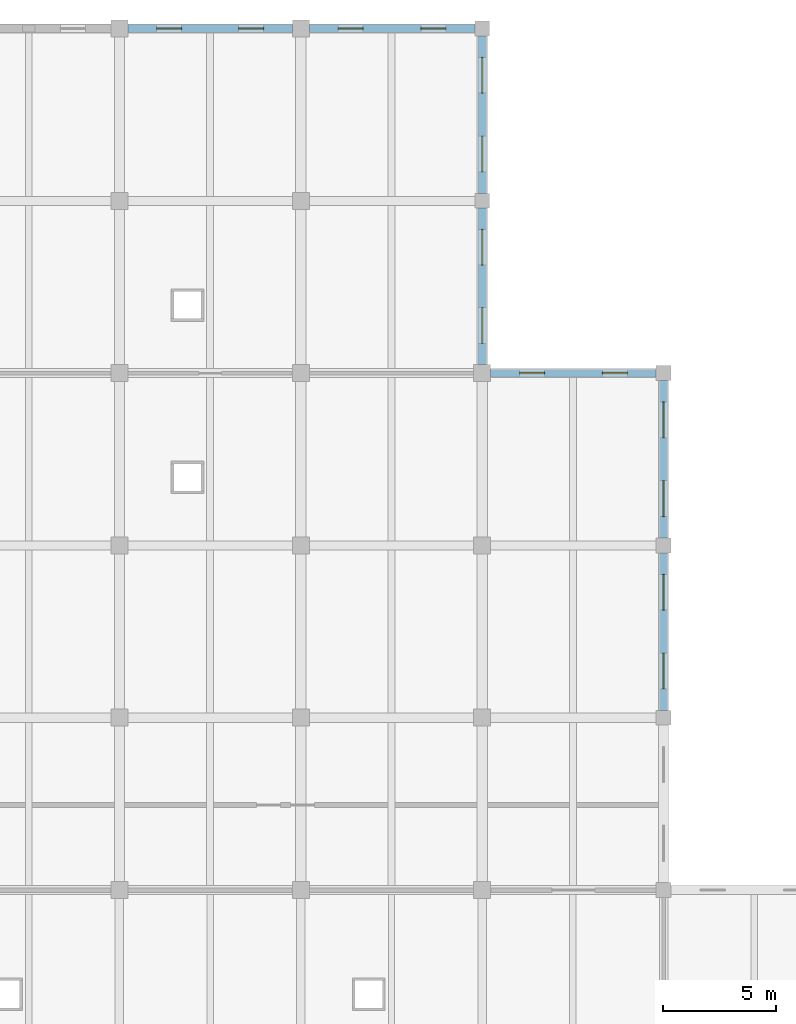
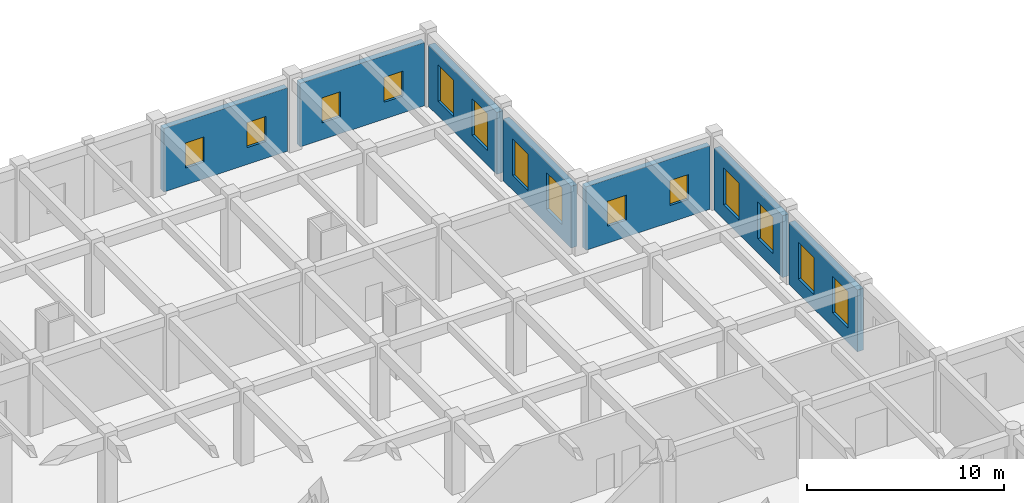
# One storey, part 83 of 101: 14 windows, 7 walls, 14 openings.
"""IFC4 building model written with IfcOpenShell, lengths in metres."""

from ifc_helpers import new_model, si_unit, direction, frame, frame_2d, origin, place, context, subcontext, project, spatial, rectangle, extrude, material, layer, layer_set, type_object, element, fill, save


model = new_model("IFC4")

# Units and contexts
model_context = context("Model", 3, precision=1e-05, world=origin(), true_north=direction((0.0, 1.0)))
body_context = subcontext(model_context, "Body", "Model", "MODEL_VIEW")
ifc_project = project(units=[si_unit("LENGTHUNIT", "METRE"), si_unit("AREAUNIT", "SQUARE_METRE"), si_unit("VOLUMEUNIT", "CUBIC_METRE"), si_unit("PLANEANGLEUNIT", "RADIAN"), si_unit("MASSUNIT", "GRAM", prefix="KILO")], contexts=[model_context])

# Site, building, storey
site_placement = place(None, origin())
site = spatial("IfcSite", under=ifc_project, at=site_placement, CompositionType="ELEMENT")
building_placement = place(site_placement, origin())
building = spatial("IfcBuilding", under=site, at=building_placement, Name="Zantavel Square City Hall", CompositionType="ELEMENT")
storey_placement = place(building_placement, frame((0.0, 0.0, 5.39990234375)))
storey = spatial("IfcBuildingStorey", under=building, at=storey_placement, Name="L02", CompositionType="ELEMENT", Elevation=5.39990234375)

# Wall, openings, windows
ifc_material_1 = material(Name="Cantera volcanic tuff stone", Category="masonry")
ifc_layer_1 = layer(ifc_material_1, 0.360107421875, Name="Cantera volcanic tuff stone")
ifc_layer_set_1 = layer_set([ifc_layer_1], Name="Cantera volcanic tuff stone")
wall_type_1 = type_object("IfcWallType", Name="Courtyard Cantera Facade Wall 360mm", PredefinedType="STANDARD", material=ifc_layer_set_1)
wall_1_placement = place(storey_placement, frame((144.0, 113.675048828125, 0.0), z_axis=(0.0, 0.0, 1.0), x_axis=(0.0, -1.0, 0.0)))
wall_1 = element("IfcWall", 1, at=wall_1_placement, inside=storey, type_object=wall_type_1, Name="L02 Exterior Wall EW-L02-044", PredefinedType="STANDARD", context=body_context, shape_type="SweptSolid", body=[
    extrude(rectangle(XDim=6.949951171875, YDim=0.360107421875, at=frame_2d((3.47509765625, 0.0))), origin(), (0.0, 0.0, 1.0), 3.840087890625),
])
opening_1_placement = place(wall_1_placement, frame((0.947509765625, 0.0, 0.89990234375)))
opening_1 = element("IfcOpeningElement", 2, at=opening_1_placement, cuts=wall_1, Name="Opening W-211", PredefinedType="OPENING", context=body_context, shape_type="SweptSolid", body=[
    extrude(rectangle(XDim=1.580078125, YDim=2.280029296875, at=frame_2d((0.7900390625, 1.14013671875))), frame((0.0, 0.18994140625, 0.0), z_axis=(0.0, -1.0, 0.0), x_axis=(1.0, 0.0, 0.0)), (0.0, 0.0, 1.0), 0.380126953125),
])
opening_2_placement = place(wall_1_placement, frame((4.422607421875, 0.0, 0.89990234375)))
opening_2 = element("IfcOpeningElement", 3, at=opening_2_placement, cuts=wall_1, Name="Opening W-212", PredefinedType="OPENING", context=body_context, shape_type="SweptSolid", body=[
    extrude(rectangle(XDim=1.580078125, YDim=2.280029296875, at=frame_2d((0.7900390625, 1.14013671875))), frame((0.0, 0.18994140625, 0.0), z_axis=(0.0, -1.0, 0.0), x_axis=(1.0, 0.0, 0.0)), (0.0, 0.0, 1.0), 0.380126953125),
])
ifc_material_2 = material(Name="Tempered safety glass low-E double glazing", Category="glass")
window_type_1 = type_object("IfcWindowType", Name="Window Treasury Tall 1580x2280", PartitioningType="DOUBLE_PANEL_VERTICAL", PredefinedType="WINDOW", material=ifc_material_2)
window_1_placement = place(opening_1_placement, origin())
window_1 = element("IfcWindow", 4, at=window_1_placement, inside=storey, type_object=window_type_1, Name="L02 Window W-211", OverallHeight=2.280029296875, OverallWidth=1.580078125, PartitioningType="DOUBLE_PANEL_VERTICAL", PredefinedType="WINDOW", context=body_context, shape_type="SweptSolid", body=[
    extrude(rectangle(XDim=1.580078125, YDim=2.280029296875, at=frame_2d((0.7900390625, 1.14013671875))), frame((0.0, 0.030029296875, 0.0), z_axis=(0.0, -1.0, 0.0), x_axis=(1.0, 0.0, 0.0)), (0.0, 0.0, 1.0), 0.06005859375),
])
fill(opening_1, window_1)
window_2_placement = place(opening_2_placement, origin())
window_2 = element("IfcWindow", 5, at=window_2_placement, inside=storey, type_object=window_type_1, Name="L02 Window W-212", OverallHeight=2.280029296875, OverallWidth=1.580078125, PartitioningType="DOUBLE_PANEL_VERTICAL", PredefinedType="WINDOW", context=body_context, shape_type="SweptSolid", body=[
    extrude(rectangle(XDim=1.580078125, YDim=2.280029296875, at=frame_2d((0.7900390625, 1.14013671875))), frame((0.0, 0.030029296875, 0.0), z_axis=(0.0, -1.0, 0.0), x_axis=(1.0, 0.0, 0.0)), (0.0, 0.0, 1.0), 0.06005859375),
])
fill(opening_2, window_2)

wall_2_placement = place(storey_placement, frame((144.0, 106.074951171875, 0.0), z_axis=(0.0, 0.0, 1.0), x_axis=(0.0, -1.0, 0.0)))
wall_2 = element("IfcWall", 6, at=wall_2_placement, inside=storey, type_object=wall_type_1, Name="L02 Exterior Wall EW-L02-045", PredefinedType="STANDARD", context=body_context, shape_type="SweptSolid", body=[
    extrude(rectangle(XDim=6.89990234375, YDim=0.360107421875, at=frame_2d((3.449951171875, 0.0))), origin(), (0.0, 0.0, 1.0), 3.840087890625),
])
opening_3_placement = place(wall_2_placement, frame((0.93505859375, 0.0, 0.89990234375)))
opening_3 = element("IfcOpeningElement", 7, at=opening_3_placement, cuts=wall_2, Name="Opening W-213", PredefinedType="OPENING", context=body_context, shape_type="SweptSolid", body=[
    extrude(rectangle(XDim=1.580078125, YDim=2.280029296875, at=frame_2d((0.7900390625, 1.14013671875))), frame((0.0, 0.18994140625, 0.0), z_axis=(0.0, -1.0, 0.0), x_axis=(1.0, 0.0, 0.0)), (0.0, 0.0, 1.0), 0.380126953125),
])
opening_4_placement = place(wall_2_placement, frame((4.385009765625, 0.0, 0.89990234375)))
opening_4 = element("IfcOpeningElement", 8, at=opening_4_placement, cuts=wall_2, Name="Opening W-214", PredefinedType="OPENING", context=body_context, shape_type="SweptSolid", body=[
    extrude(rectangle(XDim=1.580078125, YDim=2.280029296875, at=frame_2d((0.7900390625, 1.14013671875))), frame((0.0, 0.18994140625, 0.0), z_axis=(0.0, -1.0, 0.0), x_axis=(1.0, 0.0, 0.0)), (0.0, 0.0, 1.0), 0.380126953125),
])
window_3_placement = place(opening_3_placement, origin())
window_3 = element("IfcWindow", 9, at=window_3_placement, inside=storey, type_object=window_type_1, Name="L02 Window W-213", OverallHeight=2.280029296875, OverallWidth=1.580078125, PartitioningType="DOUBLE_PANEL_VERTICAL", PredefinedType="WINDOW", context=body_context, shape_type="SweptSolid", body=[
    extrude(rectangle(XDim=1.580078125, YDim=2.280029296875, at=frame_2d((0.7900390625, 1.14013671875))), frame((0.0, 0.030029296875, 0.0), z_axis=(0.0, -1.0, 0.0), x_axis=(1.0, 0.0, 0.0)), (0.0, 0.0, 1.0), 0.06005859375),
])
fill(opening_3, window_3)
window_4_placement = place(opening_4_placement, origin())
window_4 = element("IfcWindow", 10, at=window_4_placement, inside=storey, type_object=window_type_1, Name="L02 Window W-214", OverallHeight=2.280029296875, OverallWidth=1.580078125, PartitioningType="DOUBLE_PANEL_VERTICAL", PredefinedType="WINDOW", context=body_context, shape_type="SweptSolid", body=[
    extrude(rectangle(XDim=1.580078125, YDim=2.280029296875, at=frame_2d((0.7900390625, 1.14013671875))), frame((0.0, 0.030029296875, 0.0), z_axis=(0.0, -1.0, 0.0), x_axis=(1.0, 0.0, 0.0)), (0.0, 0.0, 1.0), 0.06005859375),
])
fill(opening_4, window_4)

wall_3_placement = place(storey_placement, frame((152.0, 98.47509765625, 0.0), z_axis=(0.0, 0.0, 1.0), x_axis=(0.0, -1.0, 0.0)))
wall_3 = element("IfcWall", 11, at=wall_3_placement, inside=storey, type_object=wall_type_1, Name="L02 Exterior Wall EW-L02-047", PredefinedType="STANDARD", context=body_context, shape_type="SweptSolid", body=[
    extrude(rectangle(XDim=6.9501953125, YDim=0.360107421875, at=frame_2d((3.47509765625, 0.0))), origin(), (0.0, 0.0, 1.0), 3.840087890625),
])
opening_5_placement = place(wall_3_placement, frame((0.947509765625, 0.0, 0.89990234375)))
opening_5 = element("IfcOpeningElement", 12, at=opening_5_placement, cuts=wall_3, Name="Opening W-217", PredefinedType="OPENING", context=body_context, shape_type="SweptSolid", body=[
    extrude(rectangle(XDim=1.580078125, YDim=2.280029296875, at=frame_2d((0.7900390625, 1.14013671875))), frame((0.0, 0.18994140625, 0.0), z_axis=(0.0, -1.0, 0.0), x_axis=(1.0, 0.0, 0.0)), (0.0, 0.0, 1.0), 0.380126953125),
])
opening_6_placement = place(wall_3_placement, frame((4.422607421875, 0.0, 0.89990234375)))
opening_6 = element("IfcOpeningElement", 13, at=opening_6_placement, cuts=wall_3, Name="Opening W-218", PredefinedType="OPENING", context=body_context, shape_type="SweptSolid", body=[
    extrude(rectangle(XDim=1.580078125, YDim=2.280029296875, at=frame_2d((0.7900390625, 1.14013671875))), frame((0.0, 0.18994140625, 0.0), z_axis=(0.0, -1.0, 0.0), x_axis=(1.0, 0.0, 0.0)), (0.0, 0.0, 1.0), 0.380126953125),
])
window_5_placement = place(opening_5_placement, origin())
window_5 = element("IfcWindow", 14, at=window_5_placement, inside=storey, type_object=window_type_1, Name="L02 Window W-217", OverallHeight=2.280029296875, OverallWidth=1.580078125, PartitioningType="DOUBLE_PANEL_VERTICAL", PredefinedType="WINDOW", context=body_context, shape_type="SweptSolid", body=[
    extrude(rectangle(XDim=1.580078125, YDim=2.280029296875, at=frame_2d((0.7900390625, 1.14013671875))), frame((0.0, 0.030029296875, 0.0), z_axis=(0.0, -1.0, 0.0), x_axis=(1.0, 0.0, 0.0)), (0.0, 0.0, 1.0), 0.06005859375),
])
fill(opening_5, window_5)
window_6_placement = place(opening_6_placement, origin())
window_6 = element("IfcWindow", 15, at=window_6_placement, inside=storey, type_object=window_type_1, Name="L02 Window W-218", OverallHeight=2.280029296875, OverallWidth=1.580078125, PartitioningType="DOUBLE_PANEL_VERTICAL", PredefinedType="WINDOW", context=body_context, shape_type="SweptSolid", body=[
    extrude(rectangle(XDim=1.580078125, YDim=2.280029296875, at=frame_2d((0.7900390625, 1.14013671875))), frame((0.0, 0.030029296875, 0.0), z_axis=(0.0, -1.0, 0.0), x_axis=(1.0, 0.0, 0.0)), (0.0, 0.0, 1.0), 0.06005859375),
])
fill(opening_6, window_6)

wall_4_placement = place(storey_placement, frame((152.0, 90.875, 0.0), z_axis=(0.0, 0.0, 1.0), x_axis=(0.0, -1.0, 0.0)))
wall_4 = element("IfcWall", 16, at=wall_4_placement, inside=storey, type_object=wall_type_1, Name="L02 Exterior Wall EW-L02-048", PredefinedType="STANDARD", context=body_context, shape_type="SweptSolid", body=[
    extrude(rectangle(XDim=6.949951171875, YDim=0.360107421875, at=frame_2d((3.47509765625, 0.0))), origin(), (0.0, 0.0, 1.0), 3.840087890625),
])
opening_7_placement = place(wall_4_placement, frame((0.947509765625, 0.0, 0.89990234375)))
opening_7 = element("IfcOpeningElement", 17, at=opening_7_placement, cuts=wall_4, Name="Opening W-219", PredefinedType="OPENING", context=body_context, shape_type="SweptSolid", body=[
    extrude(rectangle(XDim=1.580078125, YDim=2.280029296875, at=frame_2d((0.7900390625, 1.14013671875))), frame((0.0, 0.18994140625, 0.0), z_axis=(0.0, -1.0, 0.0), x_axis=(1.0, 0.0, 0.0)), (0.0, 0.0, 1.0), 0.380126953125),
])
opening_8_placement = place(wall_4_placement, frame((4.422607421875, 0.0, 0.89990234375)))
opening_8 = element("IfcOpeningElement", 18, at=opening_8_placement, cuts=wall_4, Name="Opening W-220", PredefinedType="OPENING", context=body_context, shape_type="SweptSolid", body=[
    extrude(rectangle(XDim=1.580078125, YDim=2.280029296875, at=frame_2d((0.7900390625, 1.14013671875))), frame((0.0, 0.18994140625, 0.0), z_axis=(0.0, -1.0, 0.0), x_axis=(1.0, 0.0, 0.0)), (0.0, 0.0, 1.0), 0.380126953125),
])
window_7_placement = place(opening_7_placement, origin())
window_7 = element("IfcWindow", 19, at=window_7_placement, inside=storey, type_object=window_type_1, Name="L02 Window W-219", OverallHeight=2.280029296875, OverallWidth=1.580078125, PartitioningType="DOUBLE_PANEL_VERTICAL", PredefinedType="WINDOW", context=body_context, shape_type="SweptSolid", body=[
    extrude(rectangle(XDim=1.580078125, YDim=2.280029296875, at=frame_2d((0.7900390625, 1.14013671875))), frame((0.0, 0.030029296875, 0.0), z_axis=(0.0, -1.0, 0.0), x_axis=(1.0, 0.0, 0.0)), (0.0, 0.0, 1.0), 0.06005859375),
])
fill(opening_7, window_7)
window_8_placement = place(opening_8_placement, origin())
window_8 = element("IfcWindow", 20, at=window_8_placement, inside=storey, type_object=window_type_1, Name="L02 Window W-220", OverallHeight=2.280029296875, OverallWidth=1.580078125, PartitioningType="DOUBLE_PANEL_VERTICAL", PredefinedType="WINDOW", context=body_context, shape_type="SweptSolid", body=[
    extrude(rectangle(XDim=1.580078125, YDim=2.280029296875, at=frame_2d((0.7900390625, 1.14013671875))), frame((0.0, 0.030029296875, 0.0), z_axis=(0.0, -1.0, 0.0), x_axis=(1.0, 0.0, 0.0)), (0.0, 0.0, 1.0), 0.06005859375),
])
fill(opening_8, window_8)

ifc_layer_2 = layer(ifc_material_1, 0.340087890625, Name="Cantera volcanic tuff stone")
ifc_layer_set_2 = layer_set([ifc_layer_2], Name="Cantera volcanic tuff stone")
wall_type_2 = type_object("IfcWallType", Name="North Insulated Cantera Wall 340mm", PredefinedType="STANDARD", material=ifc_layer_set_2)
wall_5_placement = place(storey_placement, frame((128.375, 114.0, 0.0), z_axis=(0.0, 0.0, 1.0), x_axis=(1.0, 0.0, 0.0)))
wall_5 = element("IfcWall", 21, at=wall_5_placement, inside=storey, type_object=wall_type_2, Name="L02 Exterior Wall EW-L02-042", PredefinedType="STANDARD", context=body_context, shape_type="SweptSolid", body=[
    extrude(rectangle(XDim=7.25, YDim=0.340087890625, at=frame_2d((3.625, 0.0))), origin(), (0.0, 0.0, 1.0), 3.940185546875),
])
opening_9_placement = place(wall_5_placement, frame((1.262451171875, 0.0, 1.050048828125)))
opening_9 = element("IfcOpeningElement", 22, at=opening_9_placement, cuts=wall_5, Name="Opening W-207", PredefinedType="OPENING", context=body_context, shape_type="SweptSolid", body=[
    extrude(rectangle(XDim=1.10009765625, YDim=1.550048828125, at=frame_2d((0.550048828125, 0.77490234375))), frame((0.0, 0.179931640625, 0.0), z_axis=(0.0, -1.0, 0.0), x_axis=(1.0, 0.0, 0.0)), (0.0, 0.0, 1.0), 0.360107421875),
])
opening_10_placement = place(wall_5_placement, frame((4.887451171875, 0.0, 1.050048828125)))
opening_10 = element("IfcOpeningElement", 23, at=opening_10_placement, cuts=wall_5, Name="Opening W-208", PredefinedType="OPENING", context=body_context, shape_type="SweptSolid", body=[
    extrude(rectangle(XDim=1.10009765625, YDim=1.550048828125, at=frame_2d((0.550048828125, 0.77490234375))), frame((0.0, 0.179931640625, 0.0), z_axis=(0.0, -1.0, 0.0), x_axis=(1.0, 0.0, 0.0)), (0.0, 0.0, 1.0), 0.360107421875),
])
window_type_2 = type_object("IfcWindowType", Name="Window Mezzanine North 1100x1550", PartitioningType="SINGLE_PANEL", PredefinedType="WINDOW", material=ifc_material_2)
window_9_placement = place(opening_9_placement, origin())
window_9 = element("IfcWindow", 24, at=window_9_placement, inside=storey, type_object=window_type_2, Name="L02 Window W-207", OverallHeight=1.550048828125, OverallWidth=1.10009765625, PartitioningType="SINGLE_PANEL", PredefinedType="WINDOW", context=body_context, shape_type="SweptSolid", body=[
    extrude(rectangle(XDim=1.10009765625, YDim=1.550048828125, at=frame_2d((0.550048828125, 0.77490234375))), frame((0.0, 0.030029296875, 0.0), z_axis=(0.0, -1.0, 0.0), x_axis=(1.0, 0.0, 0.0)), (0.0, 0.0, 1.0), 0.06005859375),
])
fill(opening_9, window_9)
window_10_placement = place(opening_10_placement, origin())
window_10 = element("IfcWindow", 25, at=window_10_placement, inside=storey, type_object=window_type_2, Name="L02 Window W-208", OverallHeight=1.550048828125, OverallWidth=1.10009765625, PartitioningType="SINGLE_PANEL", PredefinedType="WINDOW", context=body_context, shape_type="SweptSolid", body=[
    extrude(rectangle(XDim=1.10009765625, YDim=1.550048828125, at=frame_2d((0.550048828125, 0.77490234375))), frame((0.0, 0.030029296875, 0.0), z_axis=(0.0, -1.0, 0.0), x_axis=(1.0, 0.0, 0.0)), (0.0, 0.0, 1.0), 0.06005859375),
])
fill(opening_10, window_10)

wall_6_placement = place(storey_placement, frame((136.375, 114.0, 0.0), z_axis=(0.0, 0.0, 1.0), x_axis=(1.0, 0.0, 0.0)))
wall_6 = element("IfcWall", 26, at=wall_6_placement, inside=storey, type_object=wall_type_2, Name="L02 Exterior Wall EW-L02-043", PredefinedType="STANDARD", context=body_context, shape_type="SweptSolid", body=[
    extrude(rectangle(XDim=7.300048828125, YDim=0.340087890625, at=frame_2d((3.64990234375, 0.0))), origin(), (0.0, 0.0, 1.0), 3.940185546875),
])
opening_11_placement = place(wall_6_placement, frame((1.27490234375, 0.0, 1.050048828125)))
opening_11 = element("IfcOpeningElement", 27, at=opening_11_placement, cuts=wall_6, Name="Opening W-209", PredefinedType="OPENING", context=body_context, shape_type="SweptSolid", body=[
    extrude(rectangle(XDim=1.10009765625, YDim=1.550048828125, at=frame_2d((0.550048828125, 0.77490234375))), frame((0.0, 0.179931640625, 0.0), z_axis=(0.0, -1.0, 0.0), x_axis=(1.0, 0.0, 0.0)), (0.0, 0.0, 1.0), 0.360107421875),
])
opening_12_placement = place(wall_6_placement, frame((4.925048828125, 0.0, 1.050048828125)))
opening_12 = element("IfcOpeningElement", 28, at=opening_12_placement, cuts=wall_6, Name="Opening W-210", PredefinedType="OPENING", context=body_context, shape_type="SweptSolid", body=[
    extrude(rectangle(XDim=1.10009765625, YDim=1.550048828125, at=frame_2d((0.550048828125, 0.77490234375))), frame((0.0, 0.179931640625, 0.0), z_axis=(0.0, -1.0, 0.0), x_axis=(1.0, 0.0, 0.0)), (0.0, 0.0, 1.0), 0.360107421875),
])
window_11_placement = place(opening_11_placement, origin())
window_11 = element("IfcWindow", 29, at=window_11_placement, inside=storey, type_object=window_type_2, Name="L02 Window W-209", OverallHeight=1.550048828125, OverallWidth=1.10009765625, PartitioningType="SINGLE_PANEL", PredefinedType="WINDOW", context=body_context, shape_type="SweptSolid", body=[
    extrude(rectangle(XDim=1.10009765625, YDim=1.550048828125, at=frame_2d((0.550048828125, 0.77490234375))), frame((0.0, 0.030029296875, 0.0), z_axis=(0.0, -1.0, 0.0), x_axis=(1.0, 0.0, 0.0)), (0.0, 0.0, 1.0), 0.06005859375),
])
fill(opening_11, window_11)
window_12_placement = place(opening_12_placement, origin())
window_12 = element("IfcWindow", 30, at=window_12_placement, inside=storey, type_object=window_type_2, Name="L02 Window W-210", OverallHeight=1.550048828125, OverallWidth=1.10009765625, PartitioningType="SINGLE_PANEL", PredefinedType="WINDOW", context=body_context, shape_type="SweptSolid", body=[
    extrude(rectangle(XDim=1.10009765625, YDim=1.550048828125, at=frame_2d((0.550048828125, 0.77490234375))), frame((0.0, 0.030029296875, 0.0), z_axis=(0.0, -1.0, 0.0), x_axis=(1.0, 0.0, 0.0)), (0.0, 0.0, 1.0), 0.06005859375),
])
fill(opening_12, window_12)

wall_7_placement = place(storey_placement, frame((144.375, 98.800048828125, 0.0), z_axis=(0.0, 0.0, 1.0), x_axis=(1.0, 0.0, 0.0)))
wall_7 = element("IfcWall", 31, at=wall_7_placement, inside=storey, type_object=wall_type_2, Name="L02 Exterior Wall EW-L02-046", PredefinedType="STANDARD", context=body_context, shape_type="SweptSolid", body=[
    extrude(rectangle(XDim=7.300048828125, YDim=0.340087890625, at=frame_2d((3.64990234375, 0.0))), origin(), (0.0, 0.0, 1.0), 3.940185546875),
])
opening_13_placement = place(wall_7_placement, frame((1.27490234375, 0.0, 1.050048828125)))
opening_13 = element("IfcOpeningElement", 32, at=opening_13_placement, cuts=wall_7, Name="Opening W-215", PredefinedType="OPENING", context=body_context, shape_type="SweptSolid", body=[
    extrude(rectangle(XDim=1.10009765625, YDim=1.550048828125, at=frame_2d((0.550048828125, 0.77490234375))), frame((0.0, 0.179931640625, 0.0), z_axis=(0.0, -1.0, 0.0), x_axis=(1.0, 0.0, 0.0)), (0.0, 0.0, 1.0), 0.360107421875),
])
opening_14_placement = place(wall_7_placement, frame((4.925048828125, 0.0, 1.050048828125)))
opening_14 = element("IfcOpeningElement", 33, at=opening_14_placement, cuts=wall_7, Name="Opening W-216", PredefinedType="OPENING", context=body_context, shape_type="SweptSolid", body=[
    extrude(rectangle(XDim=1.10009765625, YDim=1.550048828125, at=frame_2d((0.550048828125, 0.77490234375))), frame((0.0, 0.179931640625, 0.0), z_axis=(0.0, -1.0, 0.0), x_axis=(1.0, 0.0, 0.0)), (0.0, 0.0, 1.0), 0.360107421875),
])
window_13_placement = place(opening_13_placement, origin())
window_13 = element("IfcWindow", 34, at=window_13_placement, inside=storey, type_object=window_type_2, Name="L02 Window W-215", OverallHeight=1.550048828125, OverallWidth=1.10009765625, PartitioningType="SINGLE_PANEL", PredefinedType="WINDOW", context=body_context, shape_type="SweptSolid", body=[
    extrude(rectangle(XDim=1.10009765625, YDim=1.550048828125, at=frame_2d((0.550048828125, 0.77490234375))), frame((0.0, 0.030029296875, 0.0), z_axis=(0.0, -1.0, 0.0), x_axis=(1.0, 0.0, 0.0)), (0.0, 0.0, 1.0), 0.06005859375),
])
fill(opening_13, window_13)
window_14_placement = place(opening_14_placement, origin())
window_14 = element("IfcWindow", 35, at=window_14_placement, inside=storey, type_object=window_type_2, Name="L02 Window W-216", OverallHeight=1.550048828125, OverallWidth=1.10009765625, PartitioningType="SINGLE_PANEL", PredefinedType="WINDOW", context=body_context, shape_type="SweptSolid", body=[
    extrude(rectangle(XDim=1.10009765625, YDim=1.550048828125, at=frame_2d((0.550048828125, 0.77490234375))), frame((0.0, 0.030029296875, 0.0), z_axis=(0.0, -1.0, 0.0), x_axis=(1.0, 0.0, 0.0)), (0.0, 0.0, 1.0), 0.06005859375),
])
fill(opening_14, window_14)

save(model, "model.ifc")
